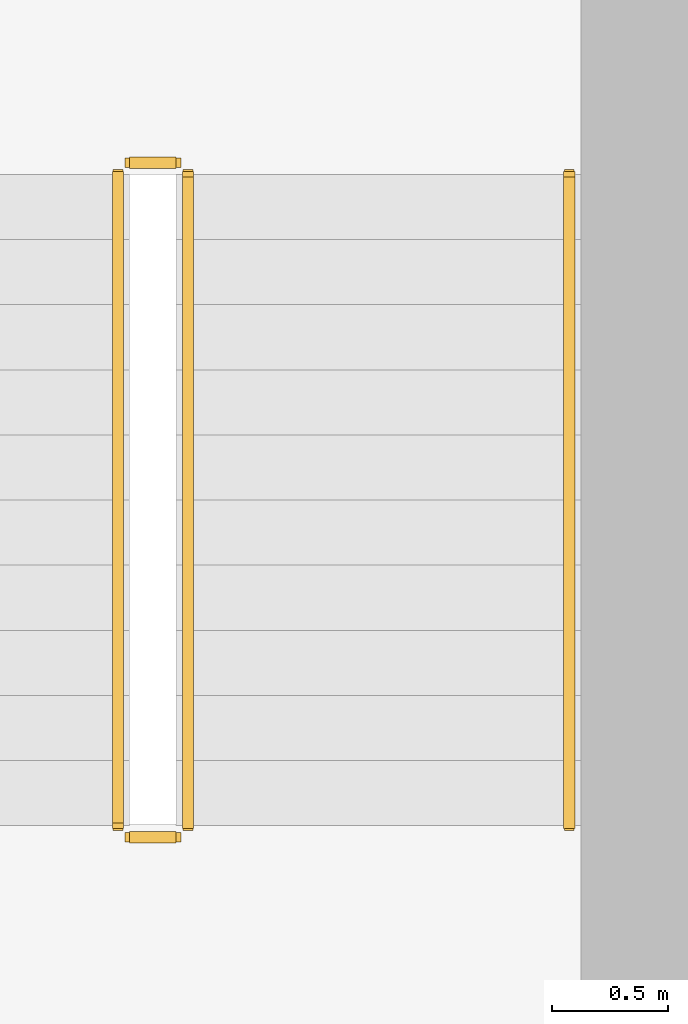
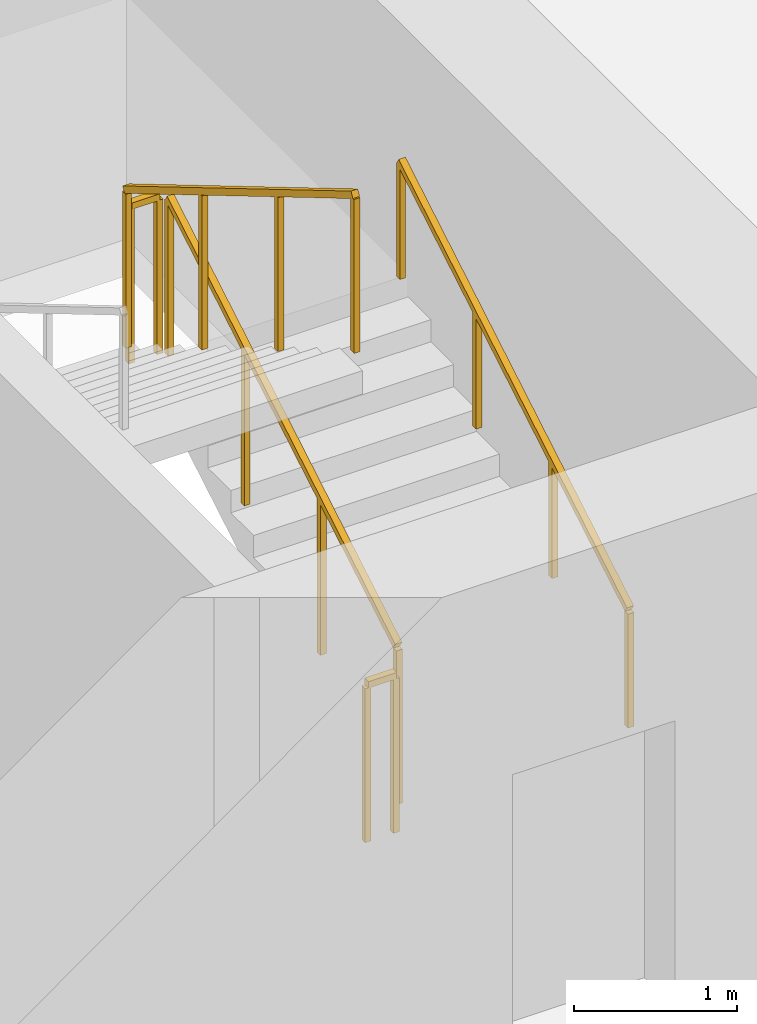
# One storey, part 12 of 12: 5 railings.
"""IFC4 building model written with IfcOpenShell, lengths in metres."""

from ifc_helpers import new_model, si_unit, direction, frame, origin, origin_2d, place, context, subcontext, project, spatial, rectangle, extrude, material, type_object, element, save


model = new_model("IFC4")

# Units and contexts
model_context = context("Model", 3, precision=1e-05, world=origin(), true_north=direction((0.0, 1.0)))
body_context = subcontext(model_context, "Body", "Model", "MODEL_VIEW")
ifc_project = project(units=[si_unit("LENGTHUNIT", "METRE"), si_unit("AREAUNIT", "SQUARE_METRE"), si_unit("VOLUMEUNIT", "CUBIC_METRE"), si_unit("PLANEANGLEUNIT", "RADIAN"), si_unit("MASSUNIT", "GRAM", prefix="KILO")], contexts=[model_context])

# Site, building, storey
site_placement = place(None, origin())
site = spatial("IfcSite", under=ifc_project, at=site_placement, CompositionType="ELEMENT")
building_placement = place(site_placement, origin())
building = spatial("IfcBuilding", under=site, at=building_placement, Name="Talyreon Biosciences Tower", CompositionType="ELEMENT")
storey_placement = place(building_placement, frame((0.0, 0.0, 156.39990234375)))
storey = spatial("IfcBuildingStorey", under=building, at=storey_placement, Name="L41", CompositionType="ELEMENT", Elevation=156.39990234375)

# Railings
ifc_material_1 = material(Name="Brushed stainless-steel tubular handrail", Category="steel")
railing_type_1 = type_object("IfcRailingType", Name="StairWallHandrail_900", PredefinedType="HANDRAIL", material=ifc_material_1)
railing_1_placement = place(storey_placement, frame((73.699951171875, 63.39990234375, 0.166015625)))
element("IfcRailing", 1, at=railing_1_placement, inside=storey, type_object=railing_type_1, Name="L41 ST-2 stair handrail 1", PredefinedType="HANDRAIL", context=body_context, shape_type="SweptSolid", body=[
    extrude(rectangle(XDim=0.048095703125, YDim=0.048095703125, at=origin_2d()), frame((0.0, 0.0, 0.8759765625), z_axis=(0.0, 0.860306154799, 0.50977771628), x_axis=(-1.0, 0.0, 0.0)), (0.0, 0.0, 1.0), 3.254638671875),
    extrude(rectangle(XDim=0.0419921875, YDim=0.0419921875, at=origin_2d()), origin(), (0.0, 0.0, 1.0), 0.851806640625),
    extrude(rectangle(XDim=0.0419921875, YDim=0.0419921875, at=origin_2d()), frame((0.0, 0.933349609375, 0.552978515625)), (0.0, 0.0, 1.0), 0.851806640625),
    extrude(rectangle(XDim=0.0419921875, YDim=0.0419921875, at=origin_2d()), frame((0.0, 1.86669921875, 1.106201171875)), (0.0, 0.0, 1.0), 0.851806640625),
    extrude(rectangle(XDim=0.0419921875, YDim=0.0419921875, at=origin_2d()), frame((0.0, 2.800048828125, 1.6591796875)), (0.0, 0.0, 1.0), 0.851806640625),
])
ifc_material_2 = material(Name="Painted galvanised steel post-and-rail balustrade", Category="steel")
railing_type_2 = type_object("IfcRailingType", Name="TerraceStairGuard_1200", PredefinedType="GUARDRAIL", material=ifc_material_2)
railing_2_placement = place(storey_placement, frame((72.06005859375, 63.39990234375, 0.166015625)))
element("IfcRailing", 2, at=railing_2_placement, inside=storey, type_object=railing_type_2, Name="L41 ST-2 stair guard 1", PredefinedType="GUARDRAIL", context=body_context, shape_type="SweptSolid", body=[
    extrude(rectangle(XDim=0.048095703125, YDim=0.048095703125, at=origin_2d()), frame((0.0, 0.0, 1.17578125), z_axis=(0.0, 0.860306154799, 0.50977771628), x_axis=(-1.0, 0.0, 0.0)), (0.0, 0.0, 1.0), 3.254638671875),
    extrude(rectangle(XDim=0.0419921875, YDim=0.0419921875, at=origin_2d()), origin(), (0.0, 0.0, 1.0), 1.15185546875),
    extrude(rectangle(XDim=0.0419921875, YDim=0.0419921875, at=origin_2d()), frame((0.0, 0.933349609375, 0.552978515625)), (0.0, 0.0, 1.0), 1.15185546875),
    extrude(rectangle(XDim=0.0419921875, YDim=0.0419921875, at=origin_2d()), frame((0.0, 1.86669921875, 1.106201171875)), (0.0, 0.0, 1.0), 1.15185546875),
    extrude(rectangle(XDim=0.0419921875, YDim=0.0419921875, at=origin_2d()), frame((0.0, 2.800048828125, 1.6591796875)), (0.0, 0.0, 1.0), 1.15185546875),
])
railing_3_placement = place(storey_placement, frame((72.010009765625, 66.25, 1.8251953125)))
element("IfcRailing", 3, at=railing_3_placement, inside=storey, type_object=railing_type_2, Name="L41 ST-2 stair guard 2", PredefinedType="GUARDRAIL", context=body_context, shape_type="SweptSolid", body=[
    extrude(rectangle(XDim=0.048095703125, YDim=0.048095703125, at=origin_2d()), frame((0.0, 0.0, 1.17578125), z_axis=(-1.0, 0.0, 0.0), x_axis=(0.0, -1.0, 0.0)), (0.0, 0.0, 1.0), 0.199951171875),
    extrude(rectangle(XDim=0.0419921875, YDim=0.0419921875, at=origin_2d()), origin(), (0.0, 0.0, 1.0), 1.15185546875),
    extrude(rectangle(XDim=0.0419921875, YDim=0.0419921875, at=origin_2d()), frame((-0.199951171875, 0.0, 0.0)), (0.0, 0.0, 1.0), 1.15185546875),
])
railing_4_placement = place(storey_placement, frame((71.760009765625, 66.199951171875, 1.990966796875)))
element("IfcRailing", 4, at=railing_4_placement, inside=storey, type_object=railing_type_2, Name="L41 ST-2 stair guard 3", PredefinedType="GUARDRAIL", context=body_context, shape_type="SweptSolid", body=[
    extrude(rectangle(XDim=0.048095703125, YDim=0.048095703125, at=origin_2d()), frame((0.0, 0.0, 1.17578125), z_axis=(0.0, -0.860306154799, 0.50977771628), x_axis=(1.0, 0.0, 0.0)), (0.0, 0.0, 1.0), 3.254638671875),
    extrude(rectangle(XDim=0.0419921875, YDim=0.0419921875, at=origin_2d()), origin(), (0.0, 0.0, 1.0), 1.15185546875),
    extrude(rectangle(XDim=0.0419921875, YDim=0.0419921875, at=origin_2d()), frame((0.0, -0.933349609375, 0.552978515625)), (0.0, 0.0, 1.0), 1.15185546875),
    extrude(rectangle(XDim=0.0419921875, YDim=0.0419921875, at=origin_2d()), frame((0.0, -1.86669921875, 1.106201171875)), (0.0, 0.0, 1.0), 1.15185546875),
    extrude(rectangle(XDim=0.0419921875, YDim=0.0419921875, at=origin_2d()), frame((0.0, -2.800048828125, 1.6591796875)), (0.0, 0.0, 1.0), 1.15185546875),
])
railing_5_placement = place(storey_placement, frame((72.010009765625, 63.35009765625, 0.0)))
element("IfcRailing", 5, at=railing_5_placement, inside=storey, type_object=railing_type_2, Name="L41 ST-2 stair guard 4", PredefinedType="GUARDRAIL", context=body_context, shape_type="SweptSolid", body=[
    extrude(rectangle(XDim=0.048095703125, YDim=0.048095703125, at=origin_2d()), frame((0.0, 0.0, 1.17578125), z_axis=(-1.0, 0.0, 0.0), x_axis=(0.0, -1.0, 0.0)), (0.0, 0.0, 1.0), 0.199951171875),
    extrude(rectangle(XDim=0.0419921875, YDim=0.0419921875, at=origin_2d()), origin(), (0.0, 0.0, 1.0), 1.15185546875),
    extrude(rectangle(XDim=0.0419921875, YDim=0.0419921875, at=origin_2d()), frame((-0.199951171875, 0.0, 0.0)), (0.0, 0.0, 1.0), 1.15185546875),
])

save(model, "model.ifc")
